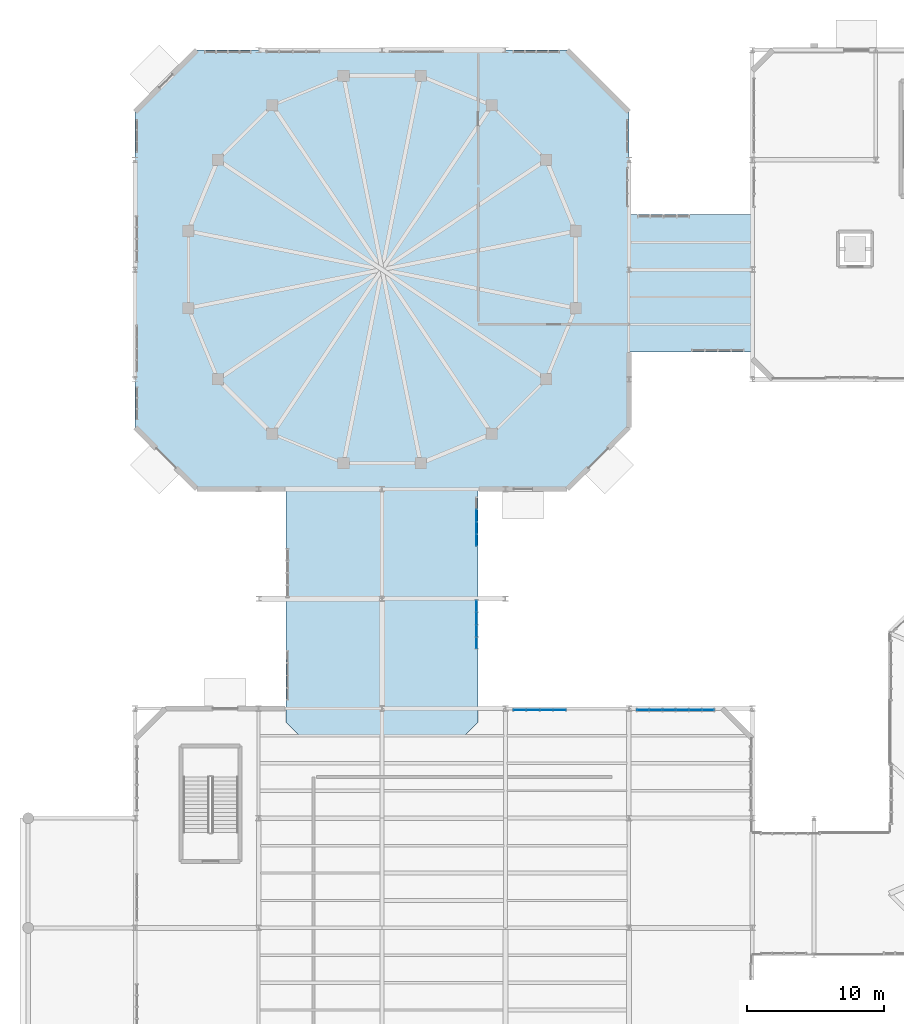
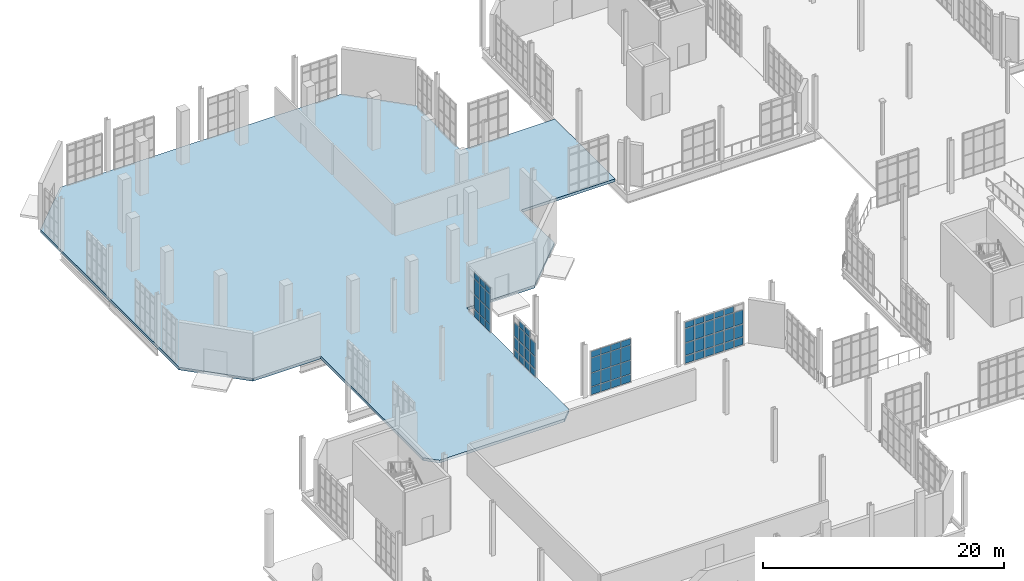
# One storey, part 145 of 189: 65 plates, 1 slab, 4 elements without a shape of their own.
"""IFC4 building model written with IfcOpenShell, lengths in metres."""

import ifcopenshell
import ifcopenshell.guid

model = None  # the IFC model being written
_history = None  # IfcOwnerHistory: only IFC2X3 demands one
_inside = {}  # id of a spatial element -> (the spatial element, [elements in it])
_under = {}  # id of a project, library or spatial element -> (it, [spatial elements below it])
_declared = {}  # id of a project -> (the project, [libraries it declares])
_typed = {}  # id of a type object -> (the type object, [elements of that type])
_made_of = {}  # id of a material, layer set ... -> (it, [elements and type objects made of it])


def new_model(schema):
    """Start an empty IFC model of exactly this schema.

    Asked for "IFC4X3", IfcOpenShell would pick the latest addendum, in which some entities
    have other attributes; the version numbers below select the first issue.
    IFC2X3 requires an IfcOwnerHistory on every rooted entity: one is made here for all.
    """
    global model, _history
    if schema == "IFC4X3":
        model = ifcopenshell.file(schema_version=(4, 3, 0, 0))
    else:
        model = ifcopenshell.file(schema=schema)
    _inside.clear()
    _under.clear()
    _declared.clear()
    _typed.clear()
    _made_of.clear()
    _history = None
    if model.schema == "IFC2X3":
        org = make("IfcOrganization", Name="unknown")
        user = make(
            "IfcPersonAndOrganization",
            ThePerson=make("IfcPerson", FamilyName="unknown"),
            TheOrganization=org,
        )
        app = make(
            "IfcApplication",
            ApplicationDeveloper=org,
            Version="unknown",
            ApplicationFullName="unknown",
            ApplicationIdentifier="unknown",
        )
        _history = make(
            "IfcOwnerHistory",
            OwningUser=user,
            OwningApplication=app,
            ChangeAction="ADDED",
            CreationDate=0,
        )
    return model


def make(cls, **values):
    """One entity of the class cls with the attributes given. An attribute that is None is left unset."""
    return model.create_entity(
        cls, **{name: value for name, value in values.items() if value is not None}
    )


def rooted(cls, **values):
    """An entity with a GlobalId (a new one), such as an element, a storey or a relation."""
    return make(cls, GlobalId=ifcopenshell.guid.new(), OwnerHistory=_history, **values)


def si_unit(unit_type, name, prefix=None):
    """IfcSIUnit, for example si_unit("LENGTHUNIT", "METRE", prefix="MILLI")."""
    return make("IfcSIUnit", UnitType=unit_type, Prefix=prefix, Name=name)


def assignment(units):
    """IfcUnitAssignment: the units of a project."""
    return None if units is None else make("IfcUnitAssignment", Units=units)


def point(xyz):
    """IfcCartesianPoint."""
    return None if xyz is None else make("IfcCartesianPoint", Coordinates=xyz)


def direction(xyz):
    """IfcDirection."""
    return None if xyz is None else make("IfcDirection", DirectionRatios=xyz)


def frame(location, z_axis=None, x_axis=None):
    """IfcAxis2Placement3D, a coordinate frame: its origin and axes. An axis left out is left unset."""
    return make(
        "IfcAxis2Placement3D",
        Location=point(location),
        Axis=direction(z_axis),
        RefDirection=direction(x_axis),
    )


def frame_2d(location, x_axis=None):
    """IfcAxis2Placement2D, a coordinate frame in the plane: its origin and x axis."""
    return make(
        "IfcAxis2Placement2D", Location=point(location), RefDirection=direction(x_axis)
    )


def origin():
    """The frame at (0, 0, 0) with its axes left unset."""
    return frame((0.0, 0.0, 0.0))


def origin_2d():
    """The frame at (0, 0) in the plane with its x axis left unset."""
    return frame_2d((0.0, 0.0))


def place(relative_to, where):
    """IfcLocalPlacement: puts the frame where relative to a parent placement (None: the world)."""
    return make(
        "IfcLocalPlacement", PlacementRelTo=relative_to, RelativePlacement=where
    )


def context(
    kind, dimensions, precision=None, world=None, true_north=None, identifier=None
):
    """IfcGeometricRepresentationContext, for example the 3D "Model" context."""
    return make(
        "IfcGeometricRepresentationContext",
        ContextIdentifier=identifier,
        ContextType=kind,
        CoordinateSpaceDimension=dimensions,
        Precision=precision,
        WorldCoordinateSystem=world,
        TrueNorth=true_north,
    )


def subcontext(parent, identifier, kind, view, scale=None):
    """IfcGeometricRepresentationSubContext, for example "Body" below "Model"."""
    return make(
        "IfcGeometricRepresentationSubContext",
        ContextIdentifier=identifier,
        ContextType=kind,
        ParentContext=parent,
        TargetScale=scale,
        TargetView=view,
    )


def project(units=None, contexts=None):
    """IfcProject with its units and contexts."""
    return rooted(
        "IfcProject",
        Name="project",
        RepresentationContexts=contexts,
        UnitsInContext=assignment(units),
    )


def spatial(cls, under=None, at=None, **own):
    """A site, building, storey or space (cls), placed at a placement, below another one or the project."""
    s = rooted(cls, ObjectPlacement=at, **own)
    if under is not None:
        _under.setdefault(under.id(), (under, []))[1].append(s)
    return s


def polyline(points):
    """IfcPolyline through the points."""
    return make("IfcPolyline", Points=[point(p) for p in points])


def profile(cls, at=None, kind="AREA", **sizes):
    """A parametric profile (cls). Its sizes go by their IFC names, for example OverallWidth=200.0."""
    return make(cls, ProfileType=kind, Position=at, **sizes)


def rectangle(**sizes):
    """IfcRectangleProfileDef."""
    return profile("IfcRectangleProfileDef", **sizes)


def outline(outer, holes=None, kind="AREA"):
    """IfcArbitraryClosedProfileDef: a profile drawn as a closed curve; with holes, ...WithVoids."""
    if holes is None:
        return make("IfcArbitraryClosedProfileDef", ProfileType=kind, OuterCurve=outer)
    return make(
        "IfcArbitraryProfileDefWithVoids",
        ProfileType=kind,
        OuterCurve=outer,
        InnerCurves=holes,
    )


def extrude(swept, where, along, depth):
    """IfcExtrudedAreaSolid: the profile swept, set in the frame where, extruded along a direction by depth."""
    return make(
        "IfcExtrudedAreaSolid",
        SweptArea=swept,
        Position=where,
        ExtrudedDirection=direction(along),
        Depth=depth,
    )


def shape(context_of_items, identifier, shape_type, items):
    """IfcShapeRepresentation: the items that make up one representation, for example the "Body"."""
    return make(
        "IfcShapeRepresentation",
        ContextOfItems=context_of_items,
        RepresentationIdentifier=identifier,
        RepresentationType=shape_type,
        Items=items,
    )


def material(Name=None, Category=None):
    """IfcMaterial."""
    return make("IfcMaterial", Name=Name, Category=Category)


def layer(
    of_material, thickness, ventilated=None, Name=None, Category=None, Priority=None
):
    """IfcMaterialLayer: one layer of a wall or slab, of a material (None: an air gap)."""
    return make(
        "IfcMaterialLayer",
        Material=of_material,
        LayerThickness=thickness,
        IsVentilated=ventilated,
        Name=Name,
        Category=Category,
        Priority=Priority,
    )


def layer_set(layers, Name=None):
    """IfcMaterialLayerSet."""
    return make("IfcMaterialLayerSet", MaterialLayers=layers, LayerSetName=Name)


def made_of(thing, what):
    """Note that an element or type object is made of a material, layer set ...; save() writes the relation."""
    if what is not None:
        _made_of.setdefault(what.id(), (what, []))[1].append(thing)
    return thing


def type_object(cls, material=None, **own):
    """A type object (cls), such as IfcWallType, which elements share."""
    return made_of(rooted(cls, **own), material)


def element(
    cls,
    number,
    at=None,
    inside=None,
    cuts=None,
    type_object=None,
    material=None,
    context=None,
    identifier="Body",
    shape_type=None,
    held_by="IfcProductDefinitionShape",
    body=None,
    shapes=None,
    **own,
):
    """One element of the class cls, such as IfcWall. Its Tag is "e" and its number.

    at: its placement. inside: the storey or other place that contains it. cuts: it is an
    opening in that element (IfcRelVoidsElement). A single representation is given by context,
    identifier, shape_type and body (its items); several are given by shapes. held_by: the class
    of the entity that holds the representations. save() writes the other relations.
    """
    e = rooted(cls, Tag="e%d" % number, ObjectPlacement=at, **own)
    if body is not None:
        shapes = [shape(context, identifier, shape_type, body)]
    if shapes is not None:
        e.Representation = make(held_by, Representations=shapes)
    if inside is not None:
        _inside.setdefault(inside.id(), (inside, []))[1].append(e)
    if cuts is not None:
        rooted(
            "IfcRelVoidsElement", RelatingBuildingElement=cuts, RelatedOpeningElement=e
        )
    if type_object is not None:
        _typed.setdefault(type_object.id(), (type_object, []))[1].append(e)
    return made_of(e, material)


def aggregate(whole, parts):
    """IfcRelAggregates: a whole, such as a stair, and the parts it consists of."""
    return rooted("IfcRelAggregates", RelatingObject=whole, RelatedObjects=parts)


def save(model, path):
    """Write the relations noted so far, then the file.

    IfcRelAggregates (storeys below a building ...), IfcRelContainedInSpatialStructure (elements
    in a storey), IfcRelDefinesByType, IfcRelAssociatesMaterial and IfcRelDeclares: one each for
    every whole, place, type object, material and project.
    """
    for whole, parts in _under.values():
        aggregate(whole, parts)
    for where, things in _inside.values():
        rooted(
            "IfcRelContainedInSpatialStructure",
            RelatedElements=things,
            RelatingStructure=where,
        )
    for kind, things in _typed.values():
        rooted("IfcRelDefinesByType", RelatedObjects=things, RelatingType=kind)
    for what, things in _made_of.values():
        rooted("IfcRelAssociatesMaterial", RelatedObjects=things, RelatingMaterial=what)
    for by, libraries in _declared.values():
        rooted("IfcRelDeclares", RelatingContext=by, RelatedDefinitions=libraries)
    model.write(path)


model = new_model("IFC4")

# Units and contexts
model_context = context("Model", 3, precision=1e-05, world=origin(), true_north=direction((0.0, 1.0)))
body_context = subcontext(model_context, "Body", "Model", "MODEL_VIEW")
ifc_project = project(units=[si_unit("LENGTHUNIT", "METRE"), si_unit("AREAUNIT", "SQUARE_METRE"), si_unit("VOLUMEUNIT", "CUBIC_METRE"), si_unit("PLANEANGLEUNIT", "RADIAN"), si_unit("MASSUNIT", "GRAM", prefix="KILO"), si_unit("THERMODYNAMICTEMPERATUREUNIT", "KELVIN"), si_unit("POWERUNIT", "WATT")], contexts=[model_context])

# Site, building, storey
site_placement = place(None, origin())
site = spatial("IfcSite", under=ifc_project, at=site_placement, CompositionType="ELEMENT")
building_placement = place(site_placement, origin())
building = spatial("IfcBuilding", under=site, at=building_placement, Name="Zelmaris Science Centre", CompositionType="ELEMENT")
storey_placement = place(building_placement, origin())
storey = spatial("IfcBuildingStorey", under=building, at=storey_placement, Name="L00", CompositionType="ELEMENT", Elevation=0.0)

# Curtain wall, plates
ifc_material_1 = material(Name="Anodised architectural aluminium 6063-T6", Category="aluminium")
ifc_layer_1 = layer(ifc_material_1, 0.18994140625, Name="Anodised architectural aluminium 6063-T6")
ifc_layer_set_1 = layer_set([ifc_layer_1], Name="Anodised architectural aluminium 6063-T6")
curtain_wall_type_1 = type_object("IfcCurtainWallType", Name="Curtain Wall CW-01", PredefinedType="USERDEFINED", material=ifc_layer_set_1)
curtain_wall_1_placement = place(storey_placement, origin())
curtain_wall_1 = element("IfcCurtainWall", 1, at=curtain_wall_1_placement, inside=storey, type_object=curtain_wall_type_1, Name="L00 Unitised curtain wall 41", ObjectType="GLAZED CURTAIN WALL", PredefinedType="USERDEFINED")
ifc_material_2 = material(Name="Laminated hurricane-rated low-E insulated glazing", Category="glass")
ifc_layer_2 = layer(ifc_material_2, 0.031982421875, Name="Laminated hurricane-rated low-E insulated glazing")
ifc_layer_set_2 = layer_set([ifc_layer_2], Name="Laminated hurricane-rated low-E insulated glazing")
plate_type_1 = type_object("IfcPlateType", Name="Curtain Glazing Panel CWP-1 32mm", PredefinedType="CURTAIN_PANEL", material=ifc_layer_set_2)
plate_1_placement = place(storey_placement, frame((33.888427734375, 47.45849609375, 0.05712890625), z_axis=(0.0, 0.0, 1.0), x_axis=(0.000717458909, -0.999999742626, 0.0)))
plate_1 = element("IfcPlate", 2, at=plate_1_placement, type_object=plate_type_1, Name="CW-01 panel 1.1", PredefinedType="CURTAIN_PANEL", context=body_context, shape_type="SweptSolid", body=[
    extrude(rectangle(XDim=0.798095703125, YDim=0.031982421875, at=origin_2d()), origin(), (0.0, 0.0, 1.0), 0.741943359375),
])
plate_2_placement = place(storey_placement, frame((33.888427734375, 47.45849609375, 0.87109375), z_axis=(0.0, 0.0, 1.0), x_axis=(0.000717458909, -0.999999742626, 0.0)))
plate_2 = element("IfcPlate", 3, at=plate_2_placement, type_object=plate_type_1, Name="CW-01 panel 1.2", PredefinedType="CURTAIN_PANEL", context=body_context, shape_type="SweptSolid", body=[
    extrude(rectangle(XDim=0.798095703125, YDim=0.031982421875, at=origin_2d()), origin(), (0.0, 0.0, 1.0), 1.20751953125),
])
plate_3_placement = place(storey_placement, frame((33.888427734375, 47.45849609375, 2.150634765625), z_axis=(0.0, 0.0, 1.0), x_axis=(0.000717458909, -0.999999742626, 0.0)))
plate_3 = element("IfcPlate", 4, at=plate_3_placement, type_object=plate_type_1, Name="CW-01 panel 1.3", PredefinedType="CURTAIN_PANEL", context=body_context, shape_type="SweptSolid", body=[
    extrude(rectangle(XDim=0.798095703125, YDim=0.031982421875, at=origin_2d()), origin(), (0.0, 0.0, 1.0), 1.357421875),
])
plate_4_placement = place(storey_placement, frame((33.88916015625, 46.570556640625, 0.05712890625), z_axis=(0.0, 0.0, 1.0), x_axis=(0.000717458909, -0.999999742626, 0.0)))
plate_4 = element("IfcPlate", 5, at=plate_4_placement, type_object=plate_type_1, Name="CW-01 panel 2.1", PredefinedType="CURTAIN_PANEL", context=body_context, shape_type="SweptSolid", body=[
    extrude(rectangle(XDim=0.833984375, YDim=0.031982421875, at=origin_2d()), origin(), (0.0, 0.0, 1.0), 0.741943359375),
])
plate_5_placement = place(storey_placement, frame((33.88916015625, 46.570556640625, 0.87109375), z_axis=(0.0, 0.0, 1.0), x_axis=(0.000717458909, -0.999999742626, 0.0)))
plate_5 = element("IfcPlate", 6, at=plate_5_placement, type_object=plate_type_1, Name="CW-01 panel 2.2", PredefinedType="CURTAIN_PANEL", context=body_context, shape_type="SweptSolid", body=[
    extrude(rectangle(XDim=0.833984375, YDim=0.031982421875, at=origin_2d()), origin(), (0.0, 0.0, 1.0), 1.20751953125),
])
plate_6_placement = place(storey_placement, frame((33.88916015625, 46.570556640625, 2.150634765625), z_axis=(0.0, 0.0, 1.0), x_axis=(0.000717458909, -0.999999742626, 0.0)))
plate_6 = element("IfcPlate", 7, at=plate_6_placement, type_object=plate_type_1, Name="CW-01 panel 2.3", PredefinedType="CURTAIN_PANEL", context=body_context, shape_type="SweptSolid", body=[
    extrude(rectangle(XDim=0.833984375, YDim=0.031982421875, at=origin_2d()), origin(), (0.0, 0.0, 1.0), 1.357421875),
])
plate_7_placement = place(storey_placement, frame((33.88916015625, 46.570556640625, 3.580078125), z_axis=(0.0, 0.0, 1.0), x_axis=(0.000717458909, -0.999999742626, 0.0)))
plate_7 = element("IfcPlate", 8, at=plate_7_placement, type_object=plate_type_1, Name="CW-01 panel 2.4", PredefinedType="CURTAIN_PANEL", context=body_context, shape_type="SweptSolid", body=[
    extrude(rectangle(XDim=0.833984375, YDim=0.031982421875, at=origin_2d()), origin(), (0.0, 0.0, 1.0), 0.592041015625),
])
plate_8_placement = place(storey_placement, frame((33.8896484375, 45.66455078125, 0.05712890625), z_axis=(0.0, 0.0, 1.0), x_axis=(0.000717458909, -0.999999742626, 0.0)))
plate_8 = element("IfcPlate", 9, at=plate_8_placement, type_object=plate_type_1, Name="CW-01 panel 3.1", PredefinedType="CURTAIN_PANEL", context=body_context, shape_type="SweptSolid", body=[
    extrude(rectangle(XDim=0.833984375, YDim=0.031982421875, at=origin_2d()), origin(), (0.0, 0.0, 1.0), 0.741943359375),
])
plate_9_placement = place(storey_placement, frame((33.8896484375, 45.66455078125, 0.87109375), z_axis=(0.0, 0.0, 1.0), x_axis=(0.000717458909, -0.999999742626, 0.0)))
plate_9 = element("IfcPlate", 10, at=plate_9_placement, type_object=plate_type_1, Name="CW-01 panel 3.2", PredefinedType="CURTAIN_PANEL", context=body_context, shape_type="SweptSolid", body=[
    extrude(rectangle(XDim=0.833984375, YDim=0.031982421875, at=origin_2d()), origin(), (0.0, 0.0, 1.0), 1.20751953125),
])
plate_10_placement = place(storey_placement, frame((33.8896484375, 45.66455078125, 2.150634765625), z_axis=(0.0, 0.0, 1.0), x_axis=(0.000717458909, -0.999999742626, 0.0)))
plate_10 = element("IfcPlate", 11, at=plate_10_placement, type_object=plate_type_1, Name="CW-01 panel 3.3", PredefinedType="CURTAIN_PANEL", context=body_context, shape_type="SweptSolid", body=[
    extrude(rectangle(XDim=0.833984375, YDim=0.031982421875, at=origin_2d()), origin(), (0.0, 0.0, 1.0), 1.357421875),
])
plate_11_placement = place(storey_placement, frame((33.8896484375, 45.66455078125, 3.580078125), z_axis=(0.0, 0.0, 1.0), x_axis=(0.000717458909, -0.999999742626, 0.0)))
plate_11 = element("IfcPlate", 12, at=plate_11_placement, type_object=plate_type_1, Name="CW-01 panel 3.4", PredefinedType="CURTAIN_PANEL", context=body_context, shape_type="SweptSolid", body=[
    extrude(rectangle(XDim=0.833984375, YDim=0.031982421875, at=origin_2d()), origin(), (0.0, 0.0, 1.0), 0.592041015625),
])
plate_12_placement = place(storey_placement, frame((33.890380859375, 44.776611328125, 0.05712890625), z_axis=(0.0, 0.0, 1.0), x_axis=(0.000717458909, -0.999999742626, 0.0)))
plate_12 = element("IfcPlate", 13, at=plate_12_placement, type_object=plate_type_1, Name="CW-01 panel 4.1", PredefinedType="CURTAIN_PANEL", context=body_context, shape_type="SweptSolid", body=[
    extrude(rectangle(XDim=0.798095703125, YDim=0.031982421875, at=origin_2d()), origin(), (0.0, 0.0, 1.0), 0.741943359375),
])
plate_13_placement = place(storey_placement, frame((33.890380859375, 44.776611328125, 0.87109375), z_axis=(0.0, 0.0, 1.0), x_axis=(0.000717458909, -0.999999742626, 0.0)))
plate_13 = element("IfcPlate", 14, at=plate_13_placement, type_object=plate_type_1, Name="CW-01 panel 4.2", PredefinedType="CURTAIN_PANEL", context=body_context, shape_type="SweptSolid", body=[
    extrude(rectangle(XDim=0.798095703125, YDim=0.031982421875, at=origin_2d()), origin(), (0.0, 0.0, 1.0), 1.20751953125),
])
plate_14_placement = place(storey_placement, frame((33.890380859375, 44.776611328125, 2.150634765625), z_axis=(0.0, 0.0, 1.0), x_axis=(0.000717458909, -0.999999742626, 0.0)))
plate_14 = element("IfcPlate", 15, at=plate_14_placement, type_object=plate_type_1, Name="CW-01 panel 4.3", PredefinedType="CURTAIN_PANEL", context=body_context, shape_type="SweptSolid", body=[
    extrude(rectangle(XDim=0.798095703125, YDim=0.031982421875, at=origin_2d()), origin(), (0.0, 0.0, 1.0), 1.357421875),
])
aggregate(curtain_wall_1, [plate_1, plate_2, plate_3, plate_4, plate_5, plate_6, plate_7, plate_8, plate_9, plate_10, plate_11, plate_12, plate_13, plate_14])

curtain_wall_2_placement = place(storey_placement, origin())
curtain_wall_2 = element("IfcCurtainWall", 16, at=curtain_wall_2_placement, inside=storey, type_object=curtain_wall_type_1, Name="L00 Unitised curtain wall 45", ObjectType="GLAZED CURTAIN WALL", PredefinedType="USERDEFINED")
plate_15_placement = place(storey_placement, frame((46.03466796875, 39.8798828125, 0.05712890625), z_axis=(0.0, 0.0, 1.0), x_axis=(0.999999999847, -1.7482509e-05, 0.0)))
plate_15 = element("IfcPlate", 17, at=plate_15_placement, type_object=plate_type_1, Name="CW-01 panel 1.1", PredefinedType="CURTAIN_PANEL", context=body_context, shape_type="SweptSolid", body=[
    extrude(rectangle(XDim=0.84521484375, YDim=0.031982421875, at=origin_2d()), origin(), (0.0, 0.0, 1.0), 0.741943359375),
])
plate_16_placement = place(storey_placement, frame((46.03466796875, 39.8798828125, 0.87109375), z_axis=(0.0, 0.0, 1.0), x_axis=(0.999999999847, -1.7482509e-05, 0.0)))
plate_16 = element("IfcPlate", 18, at=plate_16_placement, type_object=plate_type_1, Name="CW-01 panel 1.2", PredefinedType="CURTAIN_PANEL", context=body_context, shape_type="SweptSolid", body=[
    extrude(rectangle(XDim=0.84521484375, YDim=0.031982421875, at=origin_2d()), origin(), (0.0, 0.0, 1.0), 1.239501953125),
])
plate_17_placement = place(storey_placement, frame((46.03466796875, 39.8798828125, 2.1826171875), z_axis=(0.0, 0.0, 1.0), x_axis=(0.999999999847, -1.7482509e-05, 0.0)))
plate_17 = element("IfcPlate", 19, at=plate_17_placement, type_object=plate_type_1, Name="CW-01 panel 1.3", PredefinedType="CURTAIN_PANEL", context=body_context, shape_type="SweptSolid", body=[
    extrude(rectangle(XDim=0.84521484375, YDim=0.031982421875, at=origin_2d()), origin(), (0.0, 0.0, 1.0), 1.389404296875),
])
plate_18_placement = place(storey_placement, frame((46.03466796875, 39.8798828125, 3.64404296875), z_axis=(0.0, 0.0, 1.0), x_axis=(0.999999999847, -1.7482509e-05, 0.0)))
plate_18 = element("IfcPlate", 20, at=plate_18_placement, type_object=plate_type_1, Name="CW-01 panel 1.4", PredefinedType="CURTAIN_PANEL", context=body_context, shape_type="SweptSolid", body=[
    extrude(rectangle(XDim=0.84521484375, YDim=0.031982421875, at=origin_2d()), origin(), (0.0, 0.0, 1.0), 0.592041015625),
])
plate_19_placement = place(storey_placement, frame((46.969970703125, 39.8798828125, 0.05712890625), z_axis=(0.0, 0.0, 1.0), x_axis=(0.999999999847, -1.7482509e-05, 0.0)))
plate_19 = element("IfcPlate", 21, at=plate_19_placement, type_object=plate_type_1, Name="CW-01 panel 2.1", PredefinedType="CURTAIN_PANEL", context=body_context, shape_type="SweptSolid", body=[
    extrude(rectangle(XDim=0.88134765625, YDim=0.031982421875, at=origin_2d()), origin(), (0.0, 0.0, 1.0), 0.741943359375),
])
plate_20_placement = place(storey_placement, frame((46.969970703125, 39.8798828125, 0.87109375), z_axis=(0.0, 0.0, 1.0), x_axis=(0.999999999847, -1.7482509e-05, 0.0)))
plate_20 = element("IfcPlate", 22, at=plate_20_placement, type_object=plate_type_1, Name="CW-01 panel 2.2", PredefinedType="CURTAIN_PANEL", context=body_context, shape_type="SweptSolid", body=[
    extrude(rectangle(XDim=0.88134765625, YDim=0.031982421875, at=origin_2d()), origin(), (0.0, 0.0, 1.0), 1.239501953125),
])
plate_21_placement = place(storey_placement, frame((46.969970703125, 39.8798828125, 2.1826171875), z_axis=(0.0, 0.0, 1.0), x_axis=(0.999999999847, -1.7482509e-05, 0.0)))
plate_21 = element("IfcPlate", 23, at=plate_21_placement, type_object=plate_type_1, Name="CW-01 panel 2.3", PredefinedType="CURTAIN_PANEL", context=body_context, shape_type="SweptSolid", body=[
    extrude(rectangle(XDim=0.88134765625, YDim=0.031982421875, at=origin_2d()), origin(), (0.0, 0.0, 1.0), 1.389404296875),
])
plate_22_placement = place(storey_placement, frame((46.969970703125, 39.8798828125, 3.64404296875), z_axis=(0.0, 0.0, 1.0), x_axis=(0.999999999847, -1.7482509e-05, 0.0)))
plate_22 = element("IfcPlate", 24, at=plate_22_placement, type_object=plate_type_1, Name="CW-01 panel 2.4", PredefinedType="CURTAIN_PANEL", context=body_context, shape_type="SweptSolid", body=[
    extrude(rectangle(XDim=0.88134765625, YDim=0.031982421875, at=origin_2d()), origin(), (0.0, 0.0, 1.0), 0.592041015625),
])
plate_23_placement = place(storey_placement, frame((47.92333984375, 39.8798828125, 0.05712890625), z_axis=(0.0, 0.0, 1.0), x_axis=(0.999999999847, -1.7482509e-05, 0.0)))
plate_23 = element("IfcPlate", 25, at=plate_23_placement, type_object=plate_type_1, Name="CW-01 panel 3.1", PredefinedType="CURTAIN_PANEL", context=body_context, shape_type="SweptSolid", body=[
    extrude(rectangle(XDim=0.88134765625, YDim=0.031982421875, at=origin_2d()), origin(), (0.0, 0.0, 1.0), 0.741943359375),
])
plate_24_placement = place(storey_placement, frame((47.92333984375, 39.8798828125, 0.87109375), z_axis=(0.0, 0.0, 1.0), x_axis=(0.999999999847, -1.7482509e-05, 0.0)))
plate_24 = element("IfcPlate", 26, at=plate_24_placement, type_object=plate_type_1, Name="CW-01 panel 3.2", PredefinedType="CURTAIN_PANEL", context=body_context, shape_type="SweptSolid", body=[
    extrude(rectangle(XDim=0.88134765625, YDim=0.031982421875, at=origin_2d()), origin(), (0.0, 0.0, 1.0), 1.239501953125),
])
plate_25_placement = place(storey_placement, frame((47.92333984375, 39.8798828125, 2.1826171875), z_axis=(0.0, 0.0, 1.0), x_axis=(0.999999999847, -1.7482509e-05, 0.0)))
plate_25 = element("IfcPlate", 27, at=plate_25_placement, type_object=plate_type_1, Name="CW-01 panel 3.3", PredefinedType="CURTAIN_PANEL", context=body_context, shape_type="SweptSolid", body=[
    extrude(rectangle(XDim=0.88134765625, YDim=0.031982421875, at=origin_2d()), origin(), (0.0, 0.0, 1.0), 1.389404296875),
])
plate_26_placement = place(storey_placement, frame((47.92333984375, 39.8798828125, 3.64404296875), z_axis=(0.0, 0.0, 1.0), x_axis=(0.999999999847, -1.7482509e-05, 0.0)))
plate_26 = element("IfcPlate", 28, at=plate_26_placement, type_object=plate_type_1, Name="CW-01 panel 3.4", PredefinedType="CURTAIN_PANEL", context=body_context, shape_type="SweptSolid", body=[
    extrude(rectangle(XDim=0.88134765625, YDim=0.031982421875, at=origin_2d()), origin(), (0.0, 0.0, 1.0), 0.592041015625),
])
plate_27_placement = place(storey_placement, frame((48.876708984375, 39.8798828125, 0.05712890625), z_axis=(0.0, 0.0, 1.0), x_axis=(0.999999999847, -1.7482509e-05, 0.0)))
plate_27 = element("IfcPlate", 29, at=plate_27_placement, type_object=plate_type_1, Name="CW-01 panel 4.1", PredefinedType="CURTAIN_PANEL", context=body_context, shape_type="SweptSolid", body=[
    extrude(rectangle(XDim=0.88134765625, YDim=0.031982421875, at=origin_2d()), origin(), (0.0, 0.0, 1.0), 0.741943359375),
])
plate_28_placement = place(storey_placement, frame((48.876708984375, 39.8798828125, 0.87109375), z_axis=(0.0, 0.0, 1.0), x_axis=(0.999999999847, -1.7482509e-05, 0.0)))
plate_28 = element("IfcPlate", 30, at=plate_28_placement, type_object=plate_type_1, Name="CW-01 panel 4.2", PredefinedType="CURTAIN_PANEL", context=body_context, shape_type="SweptSolid", body=[
    extrude(rectangle(XDim=0.88134765625, YDim=0.031982421875, at=origin_2d()), origin(), (0.0, 0.0, 1.0), 1.239501953125),
])
plate_29_placement = place(storey_placement, frame((48.876708984375, 39.8798828125, 2.1826171875), z_axis=(0.0, 0.0, 1.0), x_axis=(0.999999999847, -1.7482509e-05, 0.0)))
plate_29 = element("IfcPlate", 31, at=plate_29_placement, type_object=plate_type_1, Name="CW-01 panel 4.3", PredefinedType="CURTAIN_PANEL", context=body_context, shape_type="SweptSolid", body=[
    extrude(rectangle(XDim=0.88134765625, YDim=0.031982421875, at=origin_2d()), origin(), (0.0, 0.0, 1.0), 1.389404296875),
])
plate_30_placement = place(storey_placement, frame((48.876708984375, 39.8798828125, 3.64404296875), z_axis=(0.0, 0.0, 1.0), x_axis=(0.999999999847, -1.7482509e-05, 0.0)))
plate_30 = element("IfcPlate", 32, at=plate_30_placement, type_object=plate_type_1, Name="CW-01 panel 4.4", PredefinedType="CURTAIN_PANEL", context=body_context, shape_type="SweptSolid", body=[
    extrude(rectangle(XDim=0.88134765625, YDim=0.031982421875, at=origin_2d()), origin(), (0.0, 0.0, 1.0), 0.592041015625),
])
plate_31_placement = place(storey_placement, frame((49.830078125, 39.8798828125, 0.05712890625), z_axis=(0.0, 0.0, 1.0), x_axis=(0.999999999847, -1.7482509e-05, 0.0)))
plate_31 = element("IfcPlate", 33, at=plate_31_placement, type_object=plate_type_1, Name="CW-01 panel 5.1", PredefinedType="CURTAIN_PANEL", context=body_context, shape_type="SweptSolid", body=[
    extrude(rectangle(XDim=0.88134765625, YDim=0.031982421875, at=origin_2d()), origin(), (0.0, 0.0, 1.0), 0.741943359375),
])
plate_32_placement = place(storey_placement, frame((49.830078125, 39.8798828125, 0.87109375), z_axis=(0.0, 0.0, 1.0), x_axis=(0.999999999847, -1.7482509e-05, 0.0)))
plate_32 = element("IfcPlate", 34, at=plate_32_placement, type_object=plate_type_1, Name="CW-01 panel 5.2", PredefinedType="CURTAIN_PANEL", context=body_context, shape_type="SweptSolid", body=[
    extrude(rectangle(XDim=0.88134765625, YDim=0.031982421875, at=origin_2d()), origin(), (0.0, 0.0, 1.0), 1.239501953125),
])
plate_33_placement = place(storey_placement, frame((49.830078125, 39.8798828125, 2.1826171875), z_axis=(0.0, 0.0, 1.0), x_axis=(0.999999999847, -1.7482509e-05, 0.0)))
plate_33 = element("IfcPlate", 35, at=plate_33_placement, type_object=plate_type_1, Name="CW-01 panel 5.3", PredefinedType="CURTAIN_PANEL", context=body_context, shape_type="SweptSolid", body=[
    extrude(rectangle(XDim=0.88134765625, YDim=0.031982421875, at=origin_2d()), origin(), (0.0, 0.0, 1.0), 1.389404296875),
])
plate_34_placement = place(storey_placement, frame((49.830078125, 39.8798828125, 3.64404296875), z_axis=(0.0, 0.0, 1.0), x_axis=(0.999999999847, -1.7482509e-05, 0.0)))
plate_34 = element("IfcPlate", 36, at=plate_34_placement, type_object=plate_type_1, Name="CW-01 panel 5.4", PredefinedType="CURTAIN_PANEL", context=body_context, shape_type="SweptSolid", body=[
    extrude(rectangle(XDim=0.88134765625, YDim=0.031982421875, at=origin_2d()), origin(), (0.0, 0.0, 1.0), 0.592041015625),
])
plate_35_placement = place(storey_placement, frame((50.765380859375, 39.8798828125, 0.05712890625), z_axis=(0.0, 0.0, 1.0), x_axis=(0.999999999847, -1.7482509e-05, 0.0)))
plate_35 = element("IfcPlate", 37, at=plate_35_placement, type_object=plate_type_1, Name="CW-01 panel 6.1", PredefinedType="CURTAIN_PANEL", context=body_context, shape_type="SweptSolid", body=[
    extrude(rectangle(XDim=0.84521484375, YDim=0.031982421875, at=origin_2d()), origin(), (0.0, 0.0, 1.0), 0.741943359375),
])
plate_36_placement = place(storey_placement, frame((50.765380859375, 39.8798828125, 0.87109375), z_axis=(0.0, 0.0, 1.0), x_axis=(0.999999999847, -1.7482509e-05, 0.0)))
plate_36 = element("IfcPlate", 38, at=plate_36_placement, type_object=plate_type_1, Name="CW-01 panel 6.2", PredefinedType="CURTAIN_PANEL", context=body_context, shape_type="SweptSolid", body=[
    extrude(rectangle(XDim=0.84521484375, YDim=0.031982421875, at=origin_2d()), origin(), (0.0, 0.0, 1.0), 1.239501953125),
])
plate_37_placement = place(storey_placement, frame((50.765380859375, 39.8798828125, 2.1826171875), z_axis=(0.0, 0.0, 1.0), x_axis=(0.999999999847, -1.7482509e-05, 0.0)))
plate_37 = element("IfcPlate", 39, at=plate_37_placement, type_object=plate_type_1, Name="CW-01 panel 6.3", PredefinedType="CURTAIN_PANEL", context=body_context, shape_type="SweptSolid", body=[
    extrude(rectangle(XDim=0.84521484375, YDim=0.031982421875, at=origin_2d()), origin(), (0.0, 0.0, 1.0), 1.389404296875),
])
aggregate(curtain_wall_2, [plate_15, plate_16, plate_17, plate_18, plate_19, plate_20, plate_21, plate_22, plate_23, plate_24, plate_25, plate_26, plate_27, plate_28, plate_29, plate_30, plate_31, plate_32, plate_33, plate_34, plate_35, plate_36, plate_37])

ifc_layer_3 = layer(ifc_material_1, 0.2099609375, Name="Anodised architectural aluminium 6063-T6")
ifc_layer_set_3 = layer_set([ifc_layer_3], Name="Anodised architectural aluminium 6063-T6")
curtain_wall_type_2 = type_object("IfcCurtainWallType", Name="Curtain Wall CW-03", PredefinedType="USERDEFINED", material=ifc_layer_set_3)
curtain_wall_3_placement = place(storey_placement, origin())
curtain_wall_3 = element("IfcCurtainWall", 40, at=curtain_wall_3_placement, inside=storey, type_object=curtain_wall_type_2, Name="L00 Unitised curtain wall 39", ObjectType="GLAZED CURTAIN WALL", PredefinedType="USERDEFINED")
ifc_layer_4 = layer(ifc_material_2, 0.02587890625, Name="Laminated hurricane-rated low-E insulated glazing")
ifc_layer_set_4 = layer_set([ifc_layer_4], Name="Laminated hurricane-rated low-E insulated glazing")
plate_type_2 = type_object("IfcPlateType", Name="Curtain Glazing Panel CWP-3 26mm", PredefinedType="CURTAIN_PANEL", material=ifc_layer_set_4)
plate_38_placement = place(storey_placement, frame((33.884033203125, 54.058349609375, 0.0419921875), z_axis=(0.0, 0.0, 1.0), x_axis=(0.000689864353, -0.999999762044, 0.0)))
plate_38 = element("IfcPlate", 41, at=plate_38_placement, type_object=plate_type_2, Name="CW-03 panel 2.1", PredefinedType="CURTAIN_PANEL", context=body_context, shape_type="SweptSolid", body=[
    extrude(rectangle(XDim=0.848876953125, YDim=0.02587890625, at=origin_2d()), origin(), (0.0, 0.0, 1.0), 0.764404296875),
])
plate_39_placement = place(storey_placement, frame((33.884033203125, 54.058349609375, 0.863525390625), z_axis=(0.0, 0.0, 1.0), x_axis=(0.000689864353, -0.999999762044, 0.0)))
plate_39 = element("IfcPlate", 42, at=plate_39_placement, type_object=plate_type_2, Name="CW-03 panel 2.2", PredefinedType="CURTAIN_PANEL", context=body_context, shape_type="SweptSolid", body=[
    extrude(rectangle(XDim=0.848876953125, YDim=0.02587890625, at=origin_2d()), origin(), (0.0, 0.0, 1.0), 1.400390625),
])
plate_40_placement = place(storey_placement, frame((33.884033203125, 54.058349609375, 2.32080078125), z_axis=(0.0, 0.0, 1.0), x_axis=(0.000689864353, -0.999999762044, 0.0)))
plate_40 = element("IfcPlate", 43, at=plate_40_placement, type_object=plate_type_2, Name="CW-03 panel 2.3", PredefinedType="CURTAIN_PANEL", context=body_context, shape_type="SweptSolid", body=[
    extrude(rectangle(XDim=0.848876953125, YDim=0.02587890625, at=origin_2d()), origin(), (0.0, 0.0, 1.0), 1.550537109375),
])
plate_41_placement = place(storey_placement, frame((33.884033203125, 54.058349609375, 3.9287109375), z_axis=(0.0, 0.0, 1.0), x_axis=(0.000689864353, -0.999999762044, 0.0)))
plate_41 = element("IfcPlate", 44, at=plate_41_placement, type_object=plate_type_2, Name="CW-03 panel 2.4", PredefinedType="CURTAIN_PANEL", context=body_context, shape_type="SweptSolid", body=[
    extrude(rectangle(XDim=0.848876953125, YDim=0.02587890625, at=origin_2d()), origin(), (0.0, 0.0, 1.0), 0.614501953125),
])
plate_42_placement = place(storey_placement, frame((33.884521484375, 53.15234375, 0.0419921875), z_axis=(0.0, 0.0, 1.0), x_axis=(0.000689864353, -0.999999762044, 0.0)))
plate_42 = element("IfcPlate", 45, at=plate_42_placement, type_object=plate_type_2, Name="CW-03 panel 3.1", PredefinedType="CURTAIN_PANEL", context=body_context, shape_type="SweptSolid", body=[
    extrude(rectangle(XDim=0.848876953125, YDim=0.02587890625, at=origin_2d()), origin(), (0.0, 0.0, 1.0), 0.764404296875),
])
plate_43_placement = place(storey_placement, frame((33.884521484375, 53.15234375, 0.863525390625), z_axis=(0.0, 0.0, 1.0), x_axis=(0.000689864353, -0.999999762044, 0.0)))
plate_43 = element("IfcPlate", 46, at=plate_43_placement, type_object=plate_type_2, Name="CW-03 panel 3.2", PredefinedType="CURTAIN_PANEL", context=body_context, shape_type="SweptSolid", body=[
    extrude(rectangle(XDim=0.848876953125, YDim=0.02587890625, at=origin_2d()), origin(), (0.0, 0.0, 1.0), 1.400390625),
])
plate_44_placement = place(storey_placement, frame((33.884521484375, 53.15234375, 2.32080078125), z_axis=(0.0, 0.0, 1.0), x_axis=(0.000689864353, -0.999999762044, 0.0)))
plate_44 = element("IfcPlate", 47, at=plate_44_placement, type_object=plate_type_2, Name="CW-03 panel 3.3", PredefinedType="CURTAIN_PANEL", context=body_context, shape_type="SweptSolid", body=[
    extrude(rectangle(XDim=0.848876953125, YDim=0.02587890625, at=origin_2d()), origin(), (0.0, 0.0, 1.0), 1.550537109375),
])
plate_45_placement = place(storey_placement, frame((33.884521484375, 53.15234375, 3.9287109375), z_axis=(0.0, 0.0, 1.0), x_axis=(0.000689864353, -0.999999762044, 0.0)))
plate_45 = element("IfcPlate", 48, at=plate_45_placement, type_object=plate_type_2, Name="CW-03 panel 3.4", PredefinedType="CURTAIN_PANEL", context=body_context, shape_type="SweptSolid", body=[
    extrude(rectangle(XDim=0.848876953125, YDim=0.02587890625, at=origin_2d()), origin(), (0.0, 0.0, 1.0), 0.614501953125),
])
plate_46_placement = place(storey_placement, frame((33.88525390625, 52.2607421875, 0.0419921875), z_axis=(0.0, 0.0, 1.0), x_axis=(0.000689864353, -0.999999762044, 0.0)))
plate_46 = element("IfcPlate", 49, at=plate_46_placement, type_object=plate_type_2, Name="CW-03 panel 4.1", PredefinedType="CURTAIN_PANEL", context=body_context, shape_type="SweptSolid", body=[
    extrude(rectangle(XDim=0.820556640625, YDim=0.02587890625, at=origin_2d()), origin(), (0.0, 0.0, 1.0), 0.764404296875),
])
plate_47_placement = place(storey_placement, frame((33.88525390625, 52.2607421875, 0.863525390625), z_axis=(0.0, 0.0, 1.0), x_axis=(0.000689864353, -0.999999762044, 0.0)))
plate_47 = element("IfcPlate", 50, at=plate_47_placement, type_object=plate_type_2, Name="CW-03 panel 4.2", PredefinedType="CURTAIN_PANEL", context=body_context, shape_type="SweptSolid", body=[
    extrude(rectangle(XDim=0.820556640625, YDim=0.02587890625, at=origin_2d()), origin(), (0.0, 0.0, 1.0), 1.400390625),
])
plate_48_placement = place(storey_placement, frame((33.88525390625, 52.2607421875, 2.32080078125), z_axis=(0.0, 0.0, 1.0), x_axis=(0.000689864353, -0.999999762044, 0.0)))
plate_48 = element("IfcPlate", 51, at=plate_48_placement, type_object=plate_type_2, Name="CW-03 panel 4.3", PredefinedType="CURTAIN_PANEL", context=body_context, shape_type="SweptSolid", body=[
    extrude(rectangle(XDim=0.820556640625, YDim=0.02587890625, at=origin_2d()), origin(), (0.0, 0.0, 1.0), 1.550537109375),
])
plate_49_placement = place(storey_placement, frame((33.88525390625, 52.2607421875, 3.9287109375), z_axis=(0.0, 0.0, 1.0), x_axis=(0.000689864353, -0.999999762044, 0.0)))
plate_49 = element("IfcPlate", 52, at=plate_49_placement, type_object=plate_type_2, Name="CW-03 panel 4.4", PredefinedType="CURTAIN_PANEL", context=body_context, shape_type="SweptSolid", body=[
    extrude(rectangle(XDim=0.820556640625, YDim=0.02587890625, at=origin_2d()), origin(), (0.0, 0.0, 1.0), 0.614501953125),
])
aggregate(curtain_wall_3, [plate_38, plate_39, plate_40, plate_41, plate_42, plate_43, plate_44, plate_45, plate_46, plate_47, plate_48, plate_49])

curtain_wall_4_placement = place(storey_placement, origin())
curtain_wall_4 = element("IfcCurtainWall", 53, at=curtain_wall_4_placement, inside=storey, type_object=curtain_wall_type_2, Name="L00 Unitised curtain wall 43", ObjectType="GLAZED CURTAIN WALL", PredefinedType="USERDEFINED")
plate_50_placement = place(storey_placement, frame((37.041748046875, 39.8798828125, 0.0419921875), z_axis=(0.0, 0.0, 1.0), x_axis=(1.0, 0.0, 0.0)))
plate_50 = element("IfcPlate", 54, at=plate_50_placement, type_object=plate_type_2, Name="CW-03 panel 1.1", PredefinedType="CURTAIN_PANEL", context=body_context, shape_type="SweptSolid", body=[
    extrude(rectangle(XDim=0.889404296875, YDim=0.02587890625, at=origin_2d()), origin(), (0.0, 0.0, 1.0), 0.764404296875),
])
plate_51_placement = place(storey_placement, frame((37.041748046875, 39.8798828125, 0.86328125), z_axis=(0.0, 0.0, 1.0), x_axis=(1.0, 0.0, 0.0)))
plate_51 = element("IfcPlate", 55, at=plate_51_placement, type_object=plate_type_2, Name="CW-03 panel 1.2", PredefinedType="CURTAIN_PANEL", context=body_context, shape_type="SweptSolid", body=[
    extrude(rectangle(XDim=0.889404296875, YDim=0.02587890625, at=origin_2d()), origin(), (0.0, 0.0, 1.0), 1.343505859375),
])
plate_52_placement = place(storey_placement, frame((37.041748046875, 39.8798828125, 2.26416015625), z_axis=(0.0, 0.0, 1.0), x_axis=(1.0, 0.0, 0.0)))
plate_52 = element("IfcPlate", 56, at=plate_52_placement, type_object=plate_type_2, Name="CW-03 panel 1.3", PredefinedType="CURTAIN_PANEL", context=body_context, shape_type="SweptSolid", body=[
    extrude(rectangle(XDim=0.889404296875, YDim=0.02587890625, at=origin_2d()), origin(), (0.0, 0.0, 1.0), 1.493408203125),
])
plate_53_placement = place(storey_placement, frame((37.041748046875, 39.8798828125, 3.814453125), z_axis=(0.0, 0.0, 1.0), x_axis=(1.0, 0.0, 0.0)))
plate_53 = element("IfcPlate", 57, at=plate_53_placement, type_object=plate_type_2, Name="CW-03 panel 1.4", PredefinedType="CURTAIN_PANEL", context=body_context, shape_type="SweptSolid", body=[
    extrude(rectangle(XDim=0.889404296875, YDim=0.02587890625, at=origin_2d()), origin(), (0.0, 0.0, 1.0), 0.614501953125),
])
plate_54_placement = place(storey_placement, frame((38.00244140625, 39.8798828125, 0.0419921875), z_axis=(0.0, 0.0, 1.0), x_axis=(1.0, 0.0, 0.0)))
plate_54 = element("IfcPlate", 58, at=plate_54_placement, type_object=plate_type_2, Name="CW-03 panel 2.1", PredefinedType="CURTAIN_PANEL", context=body_context, shape_type="SweptSolid", body=[
    extrude(rectangle(XDim=0.91796875, YDim=0.02587890625, at=origin_2d()), origin(), (0.0, 0.0, 1.0), 0.764404296875),
])
plate_55_placement = place(storey_placement, frame((38.00244140625, 39.8798828125, 0.86328125), z_axis=(0.0, 0.0, 1.0), x_axis=(1.0, 0.0, 0.0)))
plate_55 = element("IfcPlate", 59, at=plate_55_placement, type_object=plate_type_2, Name="CW-03 panel 2.2", PredefinedType="CURTAIN_PANEL", context=body_context, shape_type="SweptSolid", body=[
    extrude(rectangle(XDim=0.91796875, YDim=0.02587890625, at=origin_2d()), origin(), (0.0, 0.0, 1.0), 1.343505859375),
])
plate_56_placement = place(storey_placement, frame((38.00244140625, 39.8798828125, 2.26416015625), z_axis=(0.0, 0.0, 1.0), x_axis=(1.0, 0.0, 0.0)))
plate_56 = element("IfcPlate", 60, at=plate_56_placement, type_object=plate_type_2, Name="CW-03 panel 2.3", PredefinedType="CURTAIN_PANEL", context=body_context, shape_type="SweptSolid", body=[
    extrude(rectangle(XDim=0.91796875, YDim=0.02587890625, at=origin_2d()), origin(), (0.0, 0.0, 1.0), 1.493408203125),
])
plate_57_placement = place(storey_placement, frame((38.00244140625, 39.8798828125, 3.814453125), z_axis=(0.0, 0.0, 1.0), x_axis=(1.0, 0.0, 0.0)))
plate_57 = element("IfcPlate", 61, at=plate_57_placement, type_object=plate_type_2, Name="CW-03 panel 2.4", PredefinedType="CURTAIN_PANEL", context=body_context, shape_type="SweptSolid", body=[
    extrude(rectangle(XDim=0.91796875, YDim=0.02587890625, at=origin_2d()), origin(), (0.0, 0.0, 1.0), 0.614501953125),
])
plate_58_placement = place(storey_placement, frame((38.9775390625, 39.8798828125, 0.0419921875), z_axis=(0.0, 0.0, 1.0), x_axis=(1.0, 0.0, 0.0)))
plate_58 = element("IfcPlate", 62, at=plate_58_placement, type_object=plate_type_2, Name="CW-03 panel 3.1", PredefinedType="CURTAIN_PANEL", context=body_context, shape_type="SweptSolid", body=[
    extrude(rectangle(XDim=0.91796875, YDim=0.02587890625, at=origin_2d()), origin(), (0.0, 0.0, 1.0), 0.764404296875),
])
plate_59_placement = place(storey_placement, frame((38.9775390625, 39.8798828125, 0.86328125), z_axis=(0.0, 0.0, 1.0), x_axis=(1.0, 0.0, 0.0)))
plate_59 = element("IfcPlate", 63, at=plate_59_placement, type_object=plate_type_2, Name="CW-03 panel 3.2", PredefinedType="CURTAIN_PANEL", context=body_context, shape_type="SweptSolid", body=[
    extrude(rectangle(XDim=0.91796875, YDim=0.02587890625, at=origin_2d()), origin(), (0.0, 0.0, 1.0), 1.343505859375),
])
plate_60_placement = place(storey_placement, frame((38.9775390625, 39.8798828125, 2.26416015625), z_axis=(0.0, 0.0, 1.0), x_axis=(1.0, 0.0, 0.0)))
plate_60 = element("IfcPlate", 64, at=plate_60_placement, type_object=plate_type_2, Name="CW-03 panel 3.3", PredefinedType="CURTAIN_PANEL", context=body_context, shape_type="SweptSolid", body=[
    extrude(rectangle(XDim=0.91796875, YDim=0.02587890625, at=origin_2d()), origin(), (0.0, 0.0, 1.0), 1.493408203125),
])
plate_61_placement = place(storey_placement, frame((38.9775390625, 39.8798828125, 3.814453125), z_axis=(0.0, 0.0, 1.0), x_axis=(1.0, 0.0, 0.0)))
plate_61 = element("IfcPlate", 65, at=plate_61_placement, type_object=plate_type_2, Name="CW-03 panel 3.4", PredefinedType="CURTAIN_PANEL", context=body_context, shape_type="SweptSolid", body=[
    extrude(rectangle(XDim=0.91796875, YDim=0.02587890625, at=origin_2d()), origin(), (0.0, 0.0, 1.0), 0.614501953125),
])
plate_62_placement = place(storey_placement, frame((39.938232421875, 39.8798828125, 0.0419921875), z_axis=(0.0, 0.0, 1.0), x_axis=(1.0, 0.0, 0.0)))
plate_62 = element("IfcPlate", 66, at=plate_62_placement, type_object=plate_type_2, Name="CW-03 panel 4.1", PredefinedType="CURTAIN_PANEL", context=body_context, shape_type="SweptSolid", body=[
    extrude(rectangle(XDim=0.889404296875, YDim=0.02587890625, at=origin_2d()), origin(), (0.0, 0.0, 1.0), 0.764404296875),
])
plate_63_placement = place(storey_placement, frame((39.938232421875, 39.8798828125, 0.86328125), z_axis=(0.0, 0.0, 1.0), x_axis=(1.0, 0.0, 0.0)))
plate_63 = element("IfcPlate", 67, at=plate_63_placement, type_object=plate_type_2, Name="CW-03 panel 4.2", PredefinedType="CURTAIN_PANEL", context=body_context, shape_type="SweptSolid", body=[
    extrude(rectangle(XDim=0.889404296875, YDim=0.02587890625, at=origin_2d()), origin(), (0.0, 0.0, 1.0), 1.343505859375),
])
plate_64_placement = place(storey_placement, frame((39.938232421875, 39.8798828125, 2.26416015625), z_axis=(0.0, 0.0, 1.0), x_axis=(1.0, 0.0, 0.0)))
plate_64 = element("IfcPlate", 68, at=plate_64_placement, type_object=plate_type_2, Name="CW-03 panel 4.3", PredefinedType="CURTAIN_PANEL", context=body_context, shape_type="SweptSolid", body=[
    extrude(rectangle(XDim=0.889404296875, YDim=0.02587890625, at=origin_2d()), origin(), (0.0, 0.0, 1.0), 1.493408203125),
])
plate_65_placement = place(storey_placement, frame((39.938232421875, 39.8798828125, 3.814453125), z_axis=(0.0, 0.0, 1.0), x_axis=(1.0, 0.0, 0.0)))
plate_65 = element("IfcPlate", 69, at=plate_65_placement, type_object=plate_type_2, Name="CW-03 panel 4.4", PredefinedType="CURTAIN_PANEL", context=body_context, shape_type="SweptSolid", body=[
    extrude(rectangle(XDim=0.889404296875, YDim=0.02587890625, at=origin_2d()), origin(), (0.0, 0.0, 1.0), 0.614501953125),
])
aggregate(curtain_wall_4, [plate_50, plate_51, plate_52, plate_53, plate_54, plate_55, plate_56, plate_57, plate_58, plate_59, plate_60, plate_61, plate_62, plate_63, plate_64, plate_65])

# Slab
ifc_material_3 = material(Name="Concrete C35/45", Category="concrete")
ifc_layer_5 = layer(ifc_material_3, 0.280029296875, Name="Concrete C35/45")
ifc_layer_set_5 = layer_set([ifc_layer_5], Name="Concrete C35/45")
slab_type = type_object("IfcSlabType", Name="Slab SL-FL280 280mm", PredefinedType="FLOOR", material=ifc_layer_set_5)
slab_placement = place(storey_placement, frame((0.0, 0.0, -0.280029296875)))
element("IfcSlab", 70, at=slab_placement, inside=storey, type_object=slab_type, Name="L00 Planetarium foyer floor slab", PredefinedType="FLOOR", context=body_context, shape_type="SweptSolid", body=[
    extrude(outline(polyline([(9.0, 83.5), (13.5, 88.0), (40.5, 88.0), (45.0, 83.5), (45.0, 76.0), (54.0, 76.0), (54.0, 66.0), (45.0, 66.0), (45.0, 60.5), (40.5, 56.0), (34.0, 56.0), (34.0, 39.0), (33.0, 38.0), (21.0, 38.0), (20.0, 39.0), (20.0, 56.0), (13.5, 56.0), (9.0, 60.5), (9.0, 83.5)])), origin(), (0.0, 0.0, 1.0), 0.280029296875),
])

save(model, "model.ifc")
